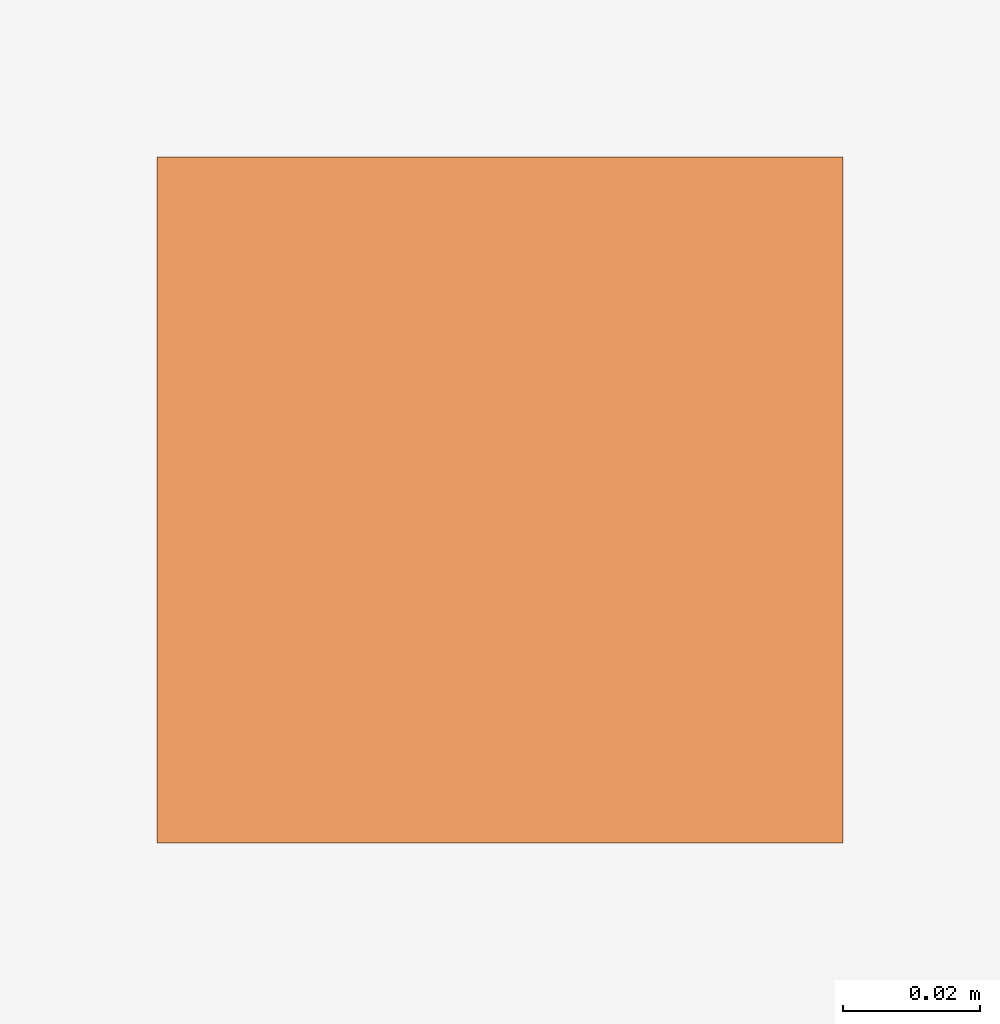
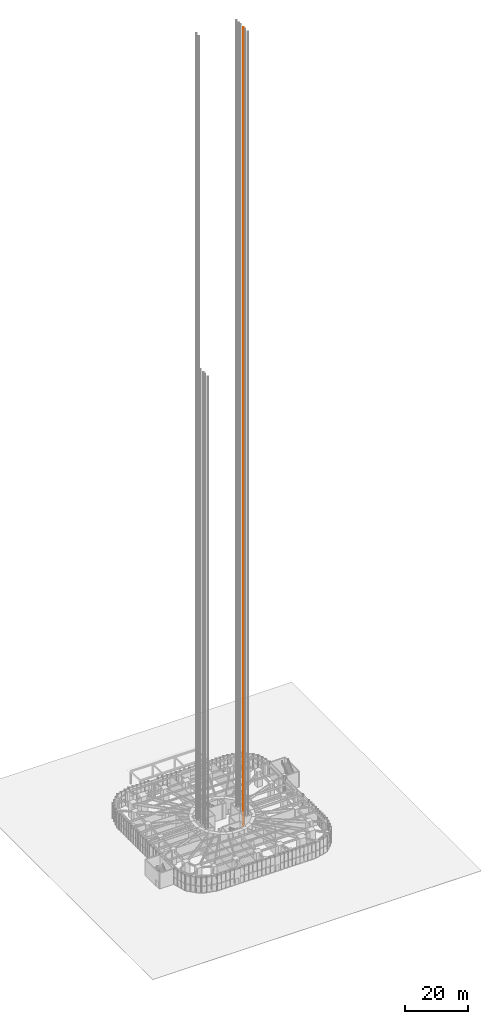
# One storey, part 40 of 43: 1 proxy.
"""IFC4 building model written with IfcOpenShell, lengths in metres."""

from ifc_helpers import new_model, si_unit, direction, frame, origin, origin_2d, place, context, subcontext, project, spatial, rectangle, extrude, material, type_object, element, save


model = new_model("IFC4")

# Units and contexts
model_context = context("Model", 3, precision=1e-05, world=origin(), true_north=direction((0.0, 1.0)))
body_context = subcontext(model_context, "Body", "Model", "MODEL_VIEW")
ifc_project = project(units=[si_unit("LENGTHUNIT", "METRE"), si_unit("AREAUNIT", "SQUARE_METRE"), si_unit("VOLUMEUNIT", "CUBIC_METRE"), si_unit("PLANEANGLEUNIT", "RADIAN"), si_unit("MASSUNIT", "GRAM", prefix="KILO")], contexts=[model_context])

# Site, building, storey
site_placement = place(None, origin())
site = spatial("IfcSite", under=ifc_project, at=site_placement, CompositionType="ELEMENT")
building_placement = place(site_placement, origin())
building = spatial("IfcBuilding", under=site, at=building_placement, Name="Nakasero Lantern House", CompositionType="ELEMENT")
storey_placement = place(building_placement, origin())
storey = spatial("IfcBuildingStorey", under=building, at=storey_placement, Name="L00", CompositionType="ELEMENT", Elevation=0.0)

# Proxy
ifc_material = material(Name="Steel S355", Category="steel")
building_element_proxy_type = type_object("IfcBuildingElementProxyType", Name="Lift guide rail", PredefinedType="ELEMENT", material=ifc_material)
proxy_placement = place(storey_placement, frame((7.300048828125, -0.89990234375, 0.0), z_axis=(0.0, 0.0, 1.0), x_axis=(1.0, 0.0, 0.0)))
element("IfcBuildingElementProxy", 1, at=proxy_placement, inside=storey, type_object=building_element_proxy_type, Name="Guide rail PLE2 1", PredefinedType="ELEMENT", context=body_context, shape_type="SweptSolid", body=[
    extrude(rectangle(XDim=0.10009765625, YDim=0.10009765625, at=origin_2d()), origin(), (0.0, 0.0, 1.0), 308.0),
])

save(model, "model.ifc")
